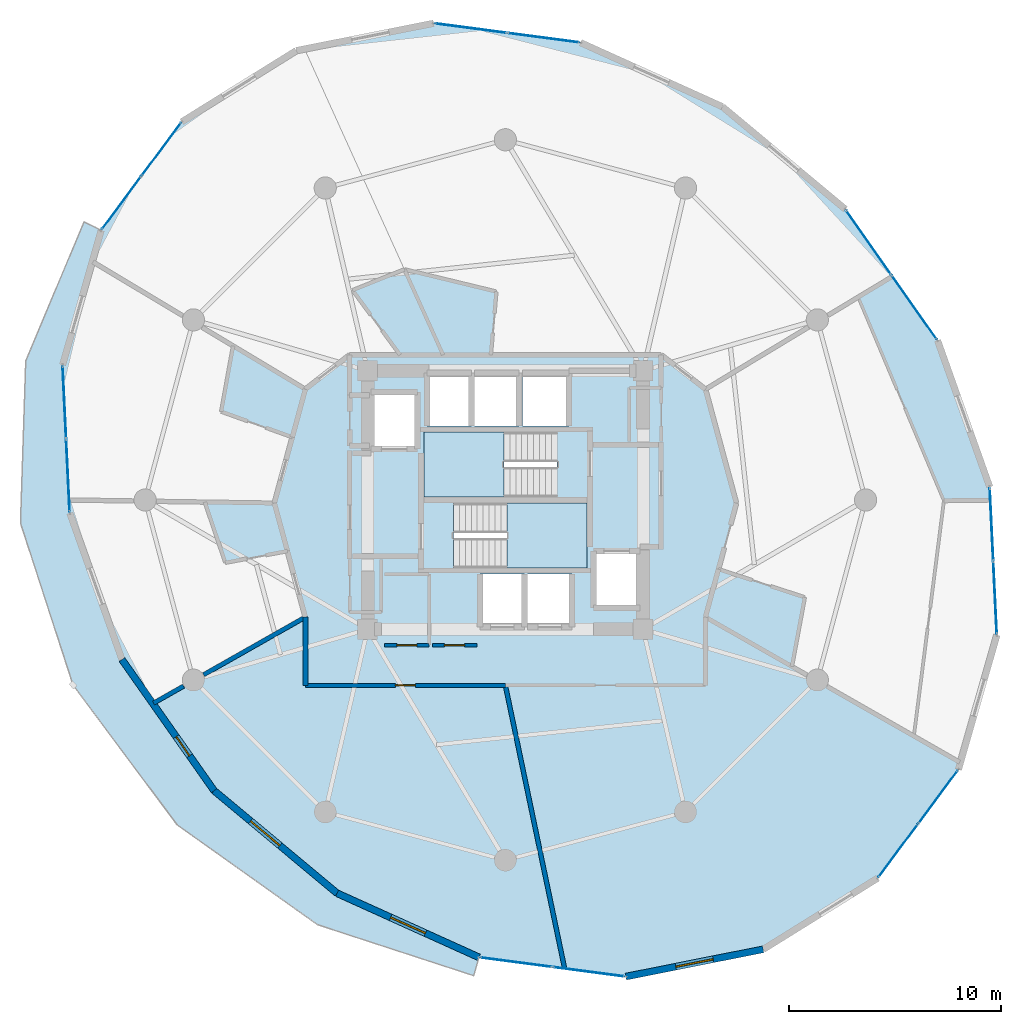
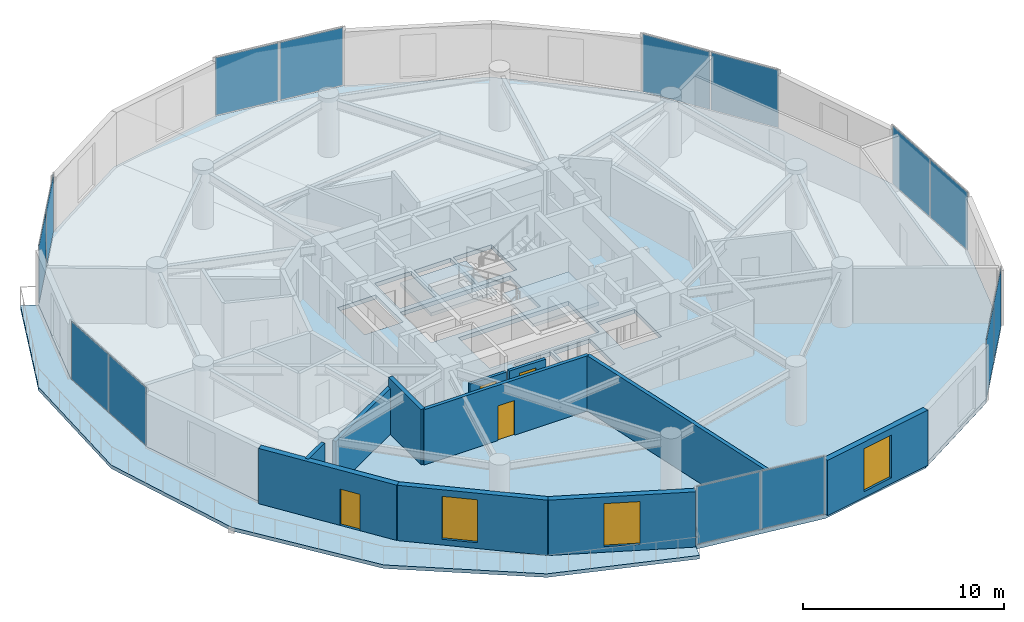
# One storey, part 17 of 22: 14 plates, 11 walls, 4 doors, 4 slabs, 3 windows, 7 openings, 9 elements without a shape of their own.
"""IFC4 building model written with IfcOpenShell, lengths in metres."""

from ifc_helpers import new_model, si_unit, direction, frame, frame_2d, origin, origin_2d, place, context, subcontext, project, spatial, polyline, rectangle, outline, extrude, source, transform, mapped, material, layer, layer_set, type_object, element, fill, aggregate, save


model = new_model("IFC4")

# Units and contexts
model_context = context("Model", 3, precision=1e-05, world=origin(), true_north=direction((0.0, 1.0)))
body_context = subcontext(model_context, "Body", "Model", "MODEL_VIEW")
ifc_project = project(units=[si_unit("LENGTHUNIT", "METRE"), si_unit("AREAUNIT", "SQUARE_METRE"), si_unit("VOLUMEUNIT", "CUBIC_METRE"), si_unit("PLANEANGLEUNIT", "RADIAN"), si_unit("MASSUNIT", "GRAM", prefix="KILO")], contexts=[model_context])

# Site, building, storey
site_placement = place(None, origin())
site = spatial("IfcSite", under=ifc_project, at=site_placement, CompositionType="ELEMENT")
building_placement = place(site_placement, origin())
building = spatial("IfcBuilding", under=site, at=building_placement, Name="Solvirekh Grand Hotel", CompositionType="ELEMENT")
storey_placement = place(building_placement, frame((0.0, 0.0, 153.0)))
storey = spatial("IfcBuildingStorey", under=building, at=storey_placement, Name="L39", CompositionType="ELEMENT", Elevation=153.0)

# Slab
ifc_material_1 = material(Name="Concrete C50/60", Category="concrete")
ifc_layer_1 = layer(ifc_material_1, 0.215087890625)
ifc_layer_set_1 = layer_set([ifc_layer_1], Name="Concrete C50/60")
slab_type_1 = type_object("IfcSlabType", Name="ExtCrescentBalc_215", PredefinedType="FLOOR", material=ifc_layer_set_1)
slab_1_placement = place(storey_placement, frame((0.0, 0.0, -0.215087890625)))
element("IfcSlab", 1, at=slab_1_placement, inside=storey, type_object=slab_type_1, Name="L39 sweeping crescent balcony slab", PredefinedType="FLOOR", context=body_context, shape_type="SweptSolid", body=[
    extrude(outline(polyline([(-19.884033203125, 13.123046875), (-22.635009765625, 6.56201171875), (-22.882080078125, -1.0810546875), (-20.40087890625, -8.73193359375), (-15.490966796875, -15.323974609375), (-8.873046875, -20.0390625), (-1.49609375, -22.447021484375), (-1.24609375, -21.5830078125), (-7.94091796875, -18.55810546875), (-13.74609375, -13.717041015625), (-18.093017578125, -7.532958984375), (-20.556884765625, -0.612060546875), (-20.89501953125, 6.368896484375), (-19.075927734375, 12.72705078125), (-19.884033203125, 13.123046875)])), origin(), (0.0, 0.0, 1.0), 0.215087890625),
])

# Stair, slab
ifc_material_2 = material(Name="Concrete C40/50", Category="concrete")
stair_type = type_object("IfcStairType", Name="Stair_Core_1450", PredefinedType="HALF_TURN_STAIR", material=ifc_material_2)
stair_1_placement = place(storey_placement, origin())
stair_1 = element("IfcStair", 2, at=stair_1_placement, inside=storey, type_object=stair_type, Name="L39 Enclosed exit stair ST-1", PredefinedType="HALF_TURN_STAIR")
ifc_layer_2 = layer(ifc_material_2, 0.199951171875)
ifc_layer_set_2 = layer_set([ifc_layer_2], Name="Concrete C40/50")
slab_type_2 = type_object("IfcSlabType", Name="Landing_Stair_200", PredefinedType="LANDING", material=ifc_layer_set_2)
slab_2_placement = place(storey_placement, frame((0.0, 0.0, 1.60009765625)))
slab_2 = element("IfcSlab", 3, at=slab_2_placement, type_object=slab_type_2, Name="ST-1 landing 1", PredefinedType="LANDING", context=body_context, shape_type="SweptSolid", body=[
    extrude(outline(polyline([(0.070068359375, -3.199951171875), (3.85009765625, -3.199951171875), (3.85009765625, -0.14990234375), (0.070068359375, -0.14990234375), (0.070068359375, -3.199951171875)])), origin(), (0.0, 0.0, 1.0), 0.199951171875),
])
aggregate(stair_1, [slab_2])

stair_2_placement = place(storey_placement, origin())
stair_2 = element("IfcStair", 4, at=stair_2_placement, inside=storey, type_object=stair_type, Name="L39 Enclosed exit stair ST-2", PredefinedType="HALF_TURN_STAIR")
slab_3_placement = place(storey_placement, frame((0.0, 0.0, 1.60009765625)))
slab_3 = element("IfcSlab", 5, at=slab_3_placement, type_object=slab_type_2, Name="ST-2 landing 1", PredefinedType="LANDING", context=body_context, shape_type="SweptSolid", body=[
    extrude(outline(polyline([(-0.070068359375, 3.199951171875), (-3.85009765625, 3.199951171875), (-3.85009765625, 0.14990234375), (-0.070068359375, 0.14990234375), (-0.070068359375, 3.199951171875)])), origin(), (0.0, 0.0, 1.0), 0.199951171875),
])
aggregate(stair_2, [slab_3])

# Slab
ifc_layer_3 = layer(ifc_material_1, 0.25)
ifc_layer_set_3 = layer_set([ifc_layer_3], Name="Concrete C50/60")
slab_type_3 = type_object("IfcSlabType", Name="Slab_GuestZ2_250", PredefinedType="FLOOR", material=ifc_layer_set_3)
slab_4_placement = place(storey_placement, frame((0.0, 0.0, -0.25)))
element("IfcSlab", 6, at=slab_4_placement, inside=storey, type_object=slab_type_3, Name="L39 structural floor slab", PredefinedType="FLOOR", context=body_context, shape_type="SweptSolid", body=[
    extrude(outline(polyline([(17.576904296875, -17.839111328125), (21.3759765625, -12.72705078125), (23.195068359375, -6.368896484375), (22.85693359375, 0.612060546875), (20.39306640625, 7.532958984375), (16.0458984375, 13.717041015625), (10.240966796875, 18.55810546875), (3.5458984375, 21.5830078125), (-3.384033203125, 22.4951171875), (-9.868896484375, 21.205078125), (-15.277099609375, 17.839111328125), (-19.075927734375, 12.72705078125), (-20.89501953125, 6.368896484375), (-20.556884765625, -0.612060546875), (-18.093017578125, -7.532958984375), (-13.74609375, -13.717041015625), (-7.94091796875, -18.55810546875), (-1.24609375, -21.5830078125), (5.68408203125, -22.4951171875), (12.1689453125, -21.205078125), (17.576904296875, -17.839111328125)]), holes=[polyline([(-2.444091796875, -0.14990234375), (3.85009765625, -0.14990234375), (3.85009765625, -3.199951171875), (-2.444091796875, -3.199951171875), (-2.444091796875, -0.14990234375)]), polyline([(2.444091796875, 0.14990234375), (-3.85009765625, 0.14990234375), (-3.85009765625, 3.199951171875), (2.444091796875, 3.199951171875), (2.444091796875, 0.14990234375)]), polyline([(-1.199951171875, -3.5), (0.89990234375, -3.5), (0.89990234375, -6.0), (-1.199951171875, -6.0), (-1.199951171875, -3.5)]), polyline([(1.050048828125, -3.5), (3.14990234375, -3.5), (3.14990234375, -6.0), (1.050048828125, -6.0), (1.050048828125, -3.5)]), polyline([(-3.699951171875, 6.0), (-1.60009765625, 6.0), (-1.60009765625, 3.5), (-3.699951171875, 3.5), (-3.699951171875, 6.0)]), polyline([(-1.449951171875, 6.0), (0.64990234375, 6.0), (0.64990234375, 3.5), (-1.449951171875, 3.5), (-1.449951171875, 6.0)]), polyline([(0.800048828125, 6.0), (3.0, 6.0), (3.0, 3.5), (0.800048828125, 3.5), (0.800048828125, 6.0)]), polyline([(-6.35009765625, 5.10009765625), (-4.14990234375, 5.10009765625), (-4.14990234375, 2.39990234375), (-6.35009765625, 2.39990234375), (-6.35009765625, 5.10009765625)]), polyline([(4.14990234375, -2.39990234375), (6.35009765625, -2.39990234375), (6.35009765625, -5.10009765625), (4.14990234375, -5.10009765625), (4.14990234375, -2.39990234375)])]), origin(), (0.0, 0.0, 1.0), 0.25),
])

# Curtain wall, plates
ifc_material_3 = material(Name="Anodized Bronze Aluminium 6063-T6", Category="aluminium")
ifc_layer_4 = layer(ifc_material_3, 0.175048828125)
ifc_layer_set_4 = layer_set([ifc_layer_4], Name="Anodized Bronze Aluminium 6063-T6")
curtain_wall_type = type_object("IfcCurtainWallType", Name="CW_Sys3_MidZoneFlushBronzeCW", PredefinedType="NOTDEFINED", material=ifc_layer_set_4)
curtain_wall_1_placement = place(storey_placement, origin())
curtain_wall_1 = element("IfcCurtainWall", 7, at=curtain_wall_1_placement, inside=storey, type_object=curtain_wall_type, Name="L39 unitised bronze-glass curtain wall CW-L39-C05", PredefinedType="NOTDEFINED")
ifc_material_4 = material(Name="Low-E Tinted Bronze Laminated Glass", Category="aluminium")
ifc_layer_5 = layer(ifc_material_4, 0.035888671875)
ifc_layer_set_5 = layer_set([ifc_layer_5], Name="Low-E Tinted Bronze Laminated Glass")
plate_type = type_object("IfcPlateType", Name="CWPanel_Mid_36", PredefinedType="CURTAIN_PANEL", material=ifc_layer_set_5)
shared_shape_1 = source(origin(), body_context, "Body", "SweptSolid", [
    extrude(rectangle(XDim=3.681884765625, YDim=0.035888671875, at=origin_2d()), origin(), (0.0, 0.0, 1.0), 3.489990234375),
])
plate_1_placement = place(storey_placement, frame((19.296875, 9.09228515625, 0.05517578125), z_axis=(0.0, 0.0, 1.0), x_axis=(-0.575077155244, 0.818099178289, 0.0)))
plate_1 = element("IfcPlate", 8, at=plate_1_placement, type_object=plate_type, Name="U03 panel 1.1", PredefinedType="CURTAIN_PANEL", context=body_context, shape_type="MappedRepresentation", body=[
    mapped(shared_shape_1, transform((0.0, 0.0, 0.0), x_axis=(1.0, 0.0, 0.0), y_axis=(0.0, 1.0, 0.0), z_axis=(0.0, 0.0, 1.0), scale=1.0)),
])
plate_2_placement = place(storey_placement, frame((17.14208984375, 12.15771484375, 0.05517578125), z_axis=(0.0, 0.0, 1.0), x_axis=(-0.575077155244, 0.818099178289, 0.0)))
plate_2 = element("IfcPlate", 9, at=plate_2_placement, type_object=plate_type, Name="U03 panel 2.1", PredefinedType="CURTAIN_PANEL", context=body_context, shape_type="MappedRepresentation", body=[
    mapped(shared_shape_1, transform((0.0, 0.0, 0.0), x_axis=(1.0, 0.0, 0.0), y_axis=(0.0, 1.0, 0.0), z_axis=(0.0, 0.0, 1.0), scale=1.0)),
])
aggregate(curtain_wall_1, [plate_1, plate_2])

curtain_wall_2_placement = place(storey_placement, origin())
curtain_wall_2 = element("IfcCurtainWall", 10, at=curtain_wall_2_placement, inside=storey, type_object=curtain_wall_type, Name="L39 unitised bronze-glass curtain wall CW-L39-C03", PredefinedType="NOTDEFINED")
shared_shape_2 = source(origin(), body_context, "Body", "SweptSolid", [
    extrude(rectangle(XDim=3.39697265625, YDim=0.035888671875, at=origin_2d()), origin(), (0.0, 0.0, 1.0), 3.489990234375),
])
plate_3_placement = place(storey_placement, frame((23.109619140625, -4.607421875, 0.05517578125), z_axis=(0.0, 0.0, 1.0), x_axis=(-0.048360481624, 0.998829947397, 0.0)))
plate_3 = element("IfcPlate", 11, at=plate_3_placement, type_object=plate_type, Name="U03 panel 1.1", PredefinedType="CURTAIN_PANEL", context=body_context, shape_type="MappedRepresentation", body=[
    mapped(shared_shape_2, transform((0.0, 0.0, 0.0), x_axis=(1.0, 0.0, 0.0), y_axis=(0.0, 1.0, 0.0), z_axis=(0.0, 0.0, 1.0), scale=1.0)),
])
plate_4_placement = place(storey_placement, frame((22.9423828125, -1.1494140625, 0.05517578125), z_axis=(0.0, 0.0, 1.0), x_axis=(-0.048360481624, 0.998829947397, 0.0)))
plate_4 = element("IfcPlate", 12, at=plate_4_placement, type_object=plate_type, Name="U03 panel 2.1", PredefinedType="CURTAIN_PANEL", context=body_context, shape_type="MappedRepresentation", body=[
    mapped(shared_shape_2, transform((0.0, 0.0, 0.0), x_axis=(1.0, 0.0, 0.0), y_axis=(0.0, 1.0, 0.0), z_axis=(0.0, 0.0, 1.0), scale=1.0)),
])
aggregate(curtain_wall_2, [plate_3, plate_4])

curtain_wall_3_placement = place(storey_placement, origin())
curtain_wall_3 = element("IfcCurtainWall", 13, at=curtain_wall_3_placement, inside=storey, type_object=curtain_wall_type, Name="L39 unitised bronze-glass curtain wall CW-L39-C13", PredefinedType="NOTDEFINED")
plate_5_placement = place(storey_placement, frame((-20.809814453125, 4.607421875, 0.05517578125), z_axis=(0.0, 0.0, 1.0), x_axis=(0.048360481624, -0.998829947397, 0.0)))
plate_5 = element("IfcPlate", 14, at=plate_5_placement, type_object=plate_type, Name="U03 panel 1.1", PredefinedType="CURTAIN_PANEL", context=body_context, shape_type="MappedRepresentation", body=[
    mapped(shared_shape_2, transform((0.0, 0.0, 0.0), x_axis=(1.0, 0.0, 0.0), y_axis=(0.0, 1.0, 0.0), z_axis=(0.0, 0.0, 1.0), scale=1.0)),
])
plate_6_placement = place(storey_placement, frame((-20.642333984375, 1.1494140625, 0.05517578125), z_axis=(0.0, 0.0, 1.0), x_axis=(0.048360481624, -0.998829947397, 0.0)))
plate_6 = element("IfcPlate", 15, at=plate_6_placement, type_object=plate_type, Name="U03 panel 2.1", PredefinedType="CURTAIN_PANEL", context=body_context, shape_type="MappedRepresentation", body=[
    mapped(shared_shape_2, transform((0.0, 0.0, 0.0), x_axis=(1.0, 0.0, 0.0), y_axis=(0.0, 1.0, 0.0), z_axis=(0.0, 0.0, 1.0), scale=1.0)),
])
aggregate(curtain_wall_3, [plate_5, plate_6])

curtain_wall_4_placement = place(storey_placement, origin())
curtain_wall_4 = element("IfcCurtainWall", 16, at=curtain_wall_4_placement, inside=storey, type_object=curtain_wall_type, Name="L39 unitised bronze-glass curtain wall CW-L39-C08", PredefinedType="NOTDEFINED")
shared_shape_3 = source(origin(), body_context, "Body", "SweptSolid", [
    extrude(rectangle(XDim=3.3974609375, YDim=0.035888671875, at=origin_2d()), origin(), (0.0, 0.0, 1.0), 3.489990234375),
])
plate_7_placement = place(storey_placement, frame((1.79736328125, 21.813232421875, 0.05517578125), z_axis=(0.0, 0.0, 1.0), x_axis=(-0.99145137358, 0.130476717564, 0.0)))
plate_7 = element("IfcPlate", 17, at=plate_7_placement, type_object=plate_type, Name="U03 panel 1.1", PredefinedType="CURTAIN_PANEL", context=body_context, shape_type="MappedRepresentation", body=[
    mapped(shared_shape_3, transform((0.0, 0.0, 0.0), x_axis=(1.0, 0.0, 0.0), y_axis=(0.0, 1.0, 0.0), z_axis=(0.0, 0.0, 1.0), scale=1.0)),
])
plate_8_placement = place(storey_placement, frame((-1.635498046875, 22.264892578125, 0.05517578125), z_axis=(0.0, 0.0, 1.0), x_axis=(-0.99145137358, 0.130476717564, 0.0)))
plate_8 = element("IfcPlate", 18, at=plate_8_placement, type_object=plate_type, Name="U03 panel 2.1", PredefinedType="CURTAIN_PANEL", context=body_context, shape_type="MappedRepresentation", body=[
    mapped(shared_shape_3, transform((0.0, 0.0, 0.0), x_axis=(1.0, 0.0, 0.0), y_axis=(0.0, 1.0, 0.0), z_axis=(0.0, 0.0, 1.0), scale=1.0)),
])
aggregate(curtain_wall_4, [plate_7, plate_8])

curtain_wall_5_placement = place(storey_placement, origin())
curtain_wall_5 = element("IfcCurtainWall", 19, at=curtain_wall_5_placement, inside=storey, type_object=curtain_wall_type, Name="L39 unitised bronze-glass curtain wall CW-L39-C18", PredefinedType="NOTDEFINED")
plate_9_placement = place(storey_placement, frame((0.502685546875, -21.813232421875, 0.05517578125), z_axis=(0.0, 0.0, 1.0), x_axis=(0.99145137358, -0.130476717564, 0.0)))
plate_9 = element("IfcPlate", 20, at=plate_9_placement, type_object=plate_type, Name="U03 panel 1.1", PredefinedType="CURTAIN_PANEL", context=body_context, shape_type="MappedRepresentation", body=[
    mapped(shared_shape_3, transform((0.0, 0.0, 0.0), x_axis=(1.0, 0.0, 0.0), y_axis=(0.0, 1.0, 0.0), z_axis=(0.0, 0.0, 1.0), scale=1.0)),
])
plate_10_placement = place(storey_placement, frame((3.935302734375, -22.264892578125, 0.05517578125), z_axis=(0.0, 0.0, 1.0), x_axis=(0.99145137358, -0.130476717564, 0.0)))
plate_10 = element("IfcPlate", 21, at=plate_10_placement, type_object=plate_type, Name="U03 panel 2.1", PredefinedType="CURTAIN_PANEL", context=body_context, shape_type="MappedRepresentation", body=[
    mapped(shared_shape_3, transform((0.0, 0.0, 0.0), x_axis=(1.0, 0.0, 0.0), y_axis=(0.0, 1.0, 0.0), z_axis=(0.0, 0.0, 1.0), scale=1.0)),
])
aggregate(curtain_wall_5, [plate_9, plate_10])

curtain_wall_6_placement = place(storey_placement, origin())
curtain_wall_6 = element("IfcCurtainWall", 22, at=curtain_wall_6_placement, inside=storey, type_object=curtain_wall_type, Name="L39 unitised bronze-glass curtain wall CW-L39-C01", PredefinedType="NOTDEFINED")
shared_shape_4 = source(origin(), body_context, "Body", "SweptSolid", [
    extrude(rectangle(XDim=3.0869140625, YDim=0.035888671875, at=origin_2d()), origin(), (0.0, 0.0, 1.0), 3.489990234375),
])
plate_11_placement = place(storey_placement, frame((18.536376953125, -16.5478515625, 0.05517578125), z_axis=(0.0, 0.0, 1.0), x_axis=(0.596477200204, 0.802630020394, 0.0)))
plate_11 = element("IfcPlate", 23, at=plate_11_placement, type_object=plate_type, Name="U03 panel 1.1", PredefinedType="CURTAIN_PANEL", context=body_context, shape_type="MappedRepresentation", body=[
    mapped(shared_shape_4, transform((0.0, 0.0, 0.0), x_axis=(1.0, 0.0, 0.0), y_axis=(0.0, 1.0, 0.0), z_axis=(0.0, 0.0, 1.0), scale=1.0)),
])
plate_12_placement = place(storey_placement, frame((20.41650390625, -14.01806640625, 0.05517578125), z_axis=(0.0, 0.0, 1.0), x_axis=(0.596477200204, 0.802630020394, 0.0)))
plate_12 = element("IfcPlate", 24, at=plate_12_placement, type_object=plate_type, Name="U03 panel 2.1", PredefinedType="CURTAIN_PANEL", context=body_context, shape_type="MappedRepresentation", body=[
    mapped(shared_shape_4, transform((0.0, 0.0, 0.0), x_axis=(1.0, 0.0, 0.0), y_axis=(0.0, 1.0, 0.0), z_axis=(0.0, 0.0, 1.0), scale=1.0)),
])
aggregate(curtain_wall_6, [plate_11, plate_12])

curtain_wall_7_placement = place(storey_placement, origin())
curtain_wall_7 = element("IfcCurtainWall", 25, at=curtain_wall_7_placement, inside=storey, type_object=curtain_wall_type, Name="L39 unitised bronze-glass curtain wall CW-L39-C11", PredefinedType="NOTDEFINED")
plate_13_placement = place(storey_placement, frame((-16.236328125, 16.5478515625, 0.05517578125), z_axis=(0.0, 0.0, 1.0), x_axis=(-0.596477200204, -0.802630020394, 0.0)))
plate_13 = element("IfcPlate", 26, at=plate_13_placement, type_object=plate_type, Name="U03 panel 1.1", PredefinedType="CURTAIN_PANEL", context=body_context, shape_type="MappedRepresentation", body=[
    mapped(shared_shape_4, transform((0.0, 0.0, 0.0), x_axis=(1.0, 0.0, 0.0), y_axis=(0.0, 1.0, 0.0), z_axis=(0.0, 0.0, 1.0), scale=1.0)),
])
plate_14_placement = place(storey_placement, frame((-18.116455078125, 14.01806640625, 0.05517578125), z_axis=(0.0, 0.0, 1.0), x_axis=(-0.596477200204, -0.802630020394, 0.0)))
plate_14 = element("IfcPlate", 27, at=plate_14_placement, type_object=plate_type, Name="U03 panel 2.1", PredefinedType="CURTAIN_PANEL", context=body_context, shape_type="MappedRepresentation", body=[
    mapped(shared_shape_4, transform((0.0, 0.0, 0.0), x_axis=(1.0, 0.0, 0.0), y_axis=(0.0, 1.0, 0.0), z_axis=(0.0, 0.0, 1.0), scale=1.0)),
])
aggregate(curtain_wall_7, [plate_13, plate_14])

# Wall, opening, door
ifc_material_5 = material(Name="Precast concrete C45/55", Category="concrete")
ifc_layer_6 = layer(ifc_material_5, 0.320068359375)
ifc_layer_set_6 = layer_set([ifc_layer_6], Name="Precast concrete C45/55")
wall_type_1 = type_object("IfcWallType", Name="ExtLobbyWall_RC320", PredefinedType="SOLIDWALL", material=ifc_layer_set_6)
wall_1_placement = place(storey_placement, frame((-13.74609375, -13.717041015625, 0.0), z_axis=(0.0, 0.0, 1.0), x_axis=(-0.575065305211, 0.818107508059, 0.0)))
wall_1 = element("IfcWall", 28, at=wall_1_placement, inside=storey, type_object=wall_type_1, Name="L39 exterior structural wall chord 15", PredefinedType="SOLIDWALL", context=body_context, shape_type="SweptSolid", body=[
    extrude(rectangle(XDim=7.55908203125, YDim=0.320068359375, at=frame_2d((3.779541015625, 0.0))), origin(), (0.0, 0.0, 1.0), 3.35009765625),
])
opening_1_placement = place(wall_1_placement, frame((2.010986328125, 0.0, 0.0)))
opening_1 = element("IfcOpeningElement", 29, at=opening_1_placement, cuts=wall_1, Name="Opening D03", PredefinedType="OPENING", context=body_context, shape_type="SweptSolid", body=[
    extrude(rectangle(XDim=1.10009765625, YDim=2.199951171875, at=frame_2d((0.550048828125, 1.10009765625))), frame((0.0, 0.169921875, 0.0), z_axis=(0.0, -1.0, 0.0), x_axis=(1.0, 0.0, 0.0)), (0.0, 0.0, 1.0), 0.340087890625),
])
door_type_1 = type_object("IfcDoorType", Name="Door_ExtBalcony_1100X2200", OperationType="NOTDEFINED", PredefinedType="DOOR", material=ifc_material_3)
door_1_placement = place(opening_1_placement, origin())
door_1 = element("IfcDoor", 30, at=door_1_placement, inside=storey, type_object=door_type_1, Name="L39 Crescent balcony glazed door (15)", OperationType="SINGLE_SWING_RIGHT", OverallHeight=2.199951171875, OverallWidth=1.10009765625, PredefinedType="DOOR", context=body_context, shape_type="SweptSolid", body=[
    extrude(rectangle(XDim=1.10009765625, YDim=2.199951171875, at=frame_2d((0.550048828125, 1.10009765625))), frame((0.0, 0.02490234375, 0.0), z_axis=(0.0, -1.0, 0.0), x_axis=(1.0, 0.0, 0.0)), (0.0, 0.0, 1.0), 0.050048828125),
])
fill(opening_1, door_1)

# Wall, opening, window
wall_2_placement = place(storey_placement, frame((-7.94091796875, -18.55810546875, 0.0), z_axis=(0.0, 0.0, 1.0), x_axis=(-0.767998848651, 0.640451222554, 0.0)))
wall_2 = element("IfcWall", 31, at=wall_2_placement, inside=storey, type_object=wall_type_1, Name="L39 exterior structural wall chord 16", PredefinedType="SOLIDWALL", context=body_context, shape_type="SweptSolid", body=[
    extrude(rectangle(XDim=7.558837890625, YDim=0.320068359375, at=frame_2d((3.779296875, 0.0))), origin(), (0.0, 0.0, 1.0), 3.35009765625),
])
opening_2_placement = place(wall_2_placement, frame((3.51904296875, 0.0, 0.35009765625)))
opening_2 = element("IfcOpeningElement", 32, at=opening_2_placement, cuts=wall_2, Name="Opening W02", PredefinedType="OPENING", context=body_context, shape_type="SweptSolid", body=[
    extrude(rectangle(XDim=1.800048828125, YDim=2.60009765625, at=frame_2d((0.89990234375, 1.300048828125))), frame((0.0, 0.169921875, 0.0), z_axis=(0.0, -1.0, 0.0), x_axis=(1.0, 0.0, 0.0)), (0.0, 0.0, 1.0), 0.340087890625),
])
window_type = type_object("IfcWindowType", Name="Win_LobbyExt_1800X2600", PartitioningType="SINGLE_PANEL", PredefinedType="WINDOW", material=ifc_material_4)
window_1_placement = place(opening_2_placement, origin())
window_1 = element("IfcWindow", 33, at=window_1_placement, inside=storey, type_object=window_type, Name="L39 panoramic bronze-framed window 16", OverallHeight=2.60009765625, OverallWidth=1.800048828125, PartitioningType="SINGLE_PANEL", PredefinedType="WINDOW", context=body_context, shape_type="SweptSolid", body=[
    extrude(rectangle(XDim=1.800048828125, YDim=2.60009765625, at=frame_2d((0.89990234375, 1.300048828125))), frame((0.0, 0.030029296875, 0.0), z_axis=(0.0, -1.0, 0.0), x_axis=(1.0, 0.0, 0.0)), (0.0, 0.0, 1.0), 0.06005859375),
])
fill(opening_2, window_1)

wall_3_placement = place(storey_placement, frame((-1.24609375, -21.5830078125, 0.0), z_axis=(0.0, 0.0, 1.0), x_axis=(-0.91129739941, 0.411748770282, 0.0)))
wall_3 = element("IfcWall", 34, at=wall_3_placement, inside=storey, type_object=wall_type_1, Name="L39 exterior structural wall chord 17", PredefinedType="SOLIDWALL", context=body_context, shape_type="SweptSolid", body=[
    extrude(rectangle(XDim=7.346435546875, YDim=0.320068359375, at=frame_2d((3.67333984375, 0.0))), origin(), (0.0, 0.0, 1.0), 3.35009765625),
])
opening_3_placement = place(wall_3_placement, frame((2.77294921875, 0.0, 0.35009765625)))
opening_3 = element("IfcOpeningElement", 35, at=opening_3_placement, cuts=wall_3, Name="Opening W02", PredefinedType="OPENING", context=body_context, shape_type="SweptSolid", body=[
    extrude(rectangle(XDim=1.800048828125, YDim=2.60009765625, at=frame_2d((0.89990234375, 1.300048828125))), frame((0.0, 0.169921875, 0.0), z_axis=(0.0, -1.0, 0.0), x_axis=(1.0, 0.0, 0.0)), (0.0, 0.0, 1.0), 0.340087890625),
])
window_2_placement = place(opening_3_placement, origin())
window_2 = element("IfcWindow", 36, at=window_2_placement, inside=storey, type_object=window_type, Name="L39 panoramic bronze-framed window 17", OverallHeight=2.60009765625, OverallWidth=1.800048828125, PartitioningType="SINGLE_PANEL", PredefinedType="WINDOW", context=body_context, shape_type="SweptSolid", body=[
    extrude(rectangle(XDim=1.800048828125, YDim=2.60009765625, at=frame_2d((0.89990234375, 1.300048828125))), frame((0.0, 0.030029296875, 0.0), z_axis=(0.0, -1.0, 0.0), x_axis=(1.0, 0.0, 0.0)), (0.0, 0.0, 1.0), 0.06005859375),
])
fill(opening_3, window_2)

wall_4_placement = place(storey_placement, frame((12.1689453125, -21.205078125, 0.0), z_axis=(0.0, 0.0, 1.0), x_axis=(-0.980781820462, -0.195107715508, 0.0)))
wall_4 = element("IfcWall", 37, at=wall_4_placement, inside=storey, type_object=wall_type_1, Name="L39 exterior structural wall chord 19", PredefinedType="SOLIDWALL", context=body_context, shape_type="SweptSolid", body=[
    extrude(rectangle(XDim=6.61181640625, YDim=0.320068359375, at=frame_2d((3.305908203125, 0.0))), origin(), (0.0, 0.0, 1.0), 3.35009765625),
])
opening_4_placement = place(wall_4_placement, frame((2.406005859375, 0.0, 0.35009765625)))
opening_4 = element("IfcOpeningElement", 38, at=opening_4_placement, cuts=wall_4, Name="Opening W02", PredefinedType="OPENING", context=body_context, shape_type="SweptSolid", body=[
    extrude(rectangle(XDim=1.800048828125, YDim=2.60009765625, at=frame_2d((0.89990234375, 1.300048828125))), frame((0.0, 0.169921875, 0.0), z_axis=(0.0, -1.0, 0.0), x_axis=(1.0, 0.0, 0.0)), (0.0, 0.0, 1.0), 0.340087890625),
])
window_3_placement = place(opening_4_placement, origin())
window_3 = element("IfcWindow", 39, at=window_3_placement, inside=storey, type_object=window_type, Name="L39 panoramic bronze-framed window 19", OverallHeight=2.60009765625, OverallWidth=1.800048828125, PartitioningType="SINGLE_PANEL", PredefinedType="WINDOW", context=body_context, shape_type="SweptSolid", body=[
    extrude(rectangle(XDim=1.800048828125, YDim=2.60009765625, at=frame_2d((0.89990234375, 1.300048828125))), frame((0.0, 0.030029296875, 0.0), z_axis=(0.0, -1.0, 0.0), x_axis=(1.0, 0.0, 0.0)), (0.0, 0.0, 1.0), 0.06005859375),
])
fill(opening_4, window_3)

# Wall, opening, door
ifc_material_6 = material(Name="Acoustic Gypsum Partition Assembly")
ifc_layer_7 = layer(ifc_material_6, 0.1650390625)
ifc_layer_set_7 = layer_set([ifc_layer_7], Name="Acoustic Gypsum Partition Assembly")
wall_type_2 = type_object("IfcWallType", Name="Part_BOH_165", PredefinedType="PARTITIONING", material=ifc_layer_set_7)
wall_5_placement = place(storey_placement, frame((-5.699951171875, -6.85009765625, 0.0), z_axis=(0.0, 0.0, 1.0), x_axis=(1.0, 0.0, 0.0)))
wall_5 = element("IfcWall", 40, at=wall_5_placement, inside=storey, type_object=wall_type_2, Name="L39 Mid-Zone Housekeeping Store wall 1", PredefinedType="PARTITIONING", context=body_context, shape_type="SweptSolid", body=[
    extrude(rectangle(XDim=2.099853515625, YDim=0.1650390625, at=frame_2d((1.0498046875, 0.0))), origin(), (0.0, 0.0, 1.0), 2.43505859375),
])
opening_5_placement = place(wall_5_placement, frame((0.574951171875, 0.0, 0.0)))
opening_5 = element("IfcOpeningElement", 41, at=opening_5_placement, cuts=wall_5, Name="Opening D10", PredefinedType="OPENING", context=body_context, shape_type="SweptSolid", body=[
    extrude(rectangle(XDim=0.949951171875, YDim=2.10009765625, at=frame_2d((0.47509765625, 1.050048828125))), frame((0.0, 0.092529296875, 0.0), z_axis=(0.0, -1.0, 0.0), x_axis=(1.0, 0.0, 0.0)), (0.0, 0.0, 1.0), 0.18505859375),
])
door_type_2 = type_object("IfcDoorType", Name="Door_RoomInt_950X2100", OperationType="NOTDEFINED", PredefinedType="DOOR", material=ifc_material_3)
door_2_placement = place(opening_5_placement, origin())
door_2 = element("IfcDoor", 42, at=door_2_placement, inside=storey, type_object=door_type_2, Name="L39 Mid-Zone Housekeeping Store door", OperationType="SINGLE_SWING_RIGHT", OverallHeight=2.10009765625, OverallWidth=0.949951171875, PredefinedType="DOOR", context=body_context, shape_type="SweptSolid", body=[
    extrude(rectangle(XDim=0.949951171875, YDim=2.10009765625, at=frame_2d((0.47509765625, 1.050048828125))), frame((0.0, 0.02490234375, 0.0), z_axis=(0.0, -1.0, 0.0), x_axis=(1.0, 0.0, 0.0)), (0.0, 0.0, 1.0), 0.050048828125),
])
fill(opening_5, door_2)

wall_6_placement = place(storey_placement, frame((-3.449951171875, -6.85009765625, 0.0), z_axis=(0.0, 0.0, 1.0), x_axis=(1.0, 0.0, 0.0)))
wall_6 = element("IfcWall", 43, at=wall_6_placement, inside=storey, type_object=wall_type_2, Name="L39 Mid-Zone Linen Closet wall 1", PredefinedType="PARTITIONING", context=body_context, shape_type="SweptSolid", body=[
    extrude(rectangle(XDim=2.099853515625, YDim=0.1650390625, at=frame_2d((1.0498046875, 0.0))), origin(), (0.0, 0.0, 1.0), 2.43505859375),
])
opening_6_placement = place(wall_6_placement, frame((0.574951171875, 0.0, 0.0)))
opening_6 = element("IfcOpeningElement", 44, at=opening_6_placement, cuts=wall_6, Name="Opening D10", PredefinedType="OPENING", context=body_context, shape_type="SweptSolid", body=[
    extrude(rectangle(XDim=0.949951171875, YDim=2.10009765625, at=frame_2d((0.47509765625, 1.050048828125))), frame((0.0, 0.092529296875, 0.0), z_axis=(0.0, -1.0, 0.0), x_axis=(1.0, 0.0, 0.0)), (0.0, 0.0, 1.0), 0.18505859375),
])
door_3_placement = place(opening_6_placement, origin())
door_3 = element("IfcDoor", 45, at=door_3_placement, inside=storey, type_object=door_type_2, Name="L39 Mid-Zone Linen Closet door", OperationType="SINGLE_SWING_LEFT", OverallHeight=2.10009765625, OverallWidth=0.949951171875, PredefinedType="DOOR", context=body_context, shape_type="SweptSolid", body=[
    extrude(rectangle(XDim=0.949951171875, YDim=2.10009765625, at=frame_2d((0.47509765625, 1.050048828125))), frame((0.0, 0.02490234375, 0.0), z_axis=(0.0, -1.0, 0.0), x_axis=(1.0, 0.0, 0.0)), (0.0, 0.0, 1.0), 0.050048828125),
])
fill(opening_6, door_3)

# Wall
ifc_layer_8 = layer(ifc_material_6, 0.239990234375)
ifc_layer_set_8 = layer_set([ifc_layer_8], Name="Acoustic Gypsum Partition Assembly")
wall_type_3 = type_object("IfcWallType", Name="Part_Corridor_240", PredefinedType="PARTITIONING", material=ifc_layer_set_8)
wall_7_placement = place(storey_placement, frame((-9.43994140625, -5.52490234375, 0.0), z_axis=(0.0, 0.0, 1.0), x_axis=(0.0, -1.0, 0.0)))
element("IfcWall", 46, at=wall_7_placement, inside=storey, type_object=wall_type_3, Name="L39 L39 Panorama Morning Lounge corridor wall 1", PredefinedType="PARTITIONING", context=body_context, shape_type="SweptSolid", body=[
    extrude(rectangle(XDim=3.22509765625, YDim=0.239990234375, at=frame_2d((1.612548828125, 0.0))), origin(), (0.0, 0.0, 1.0), 3.35009765625),
])

# Wall, opening, door
ifc_layer_9 = layer(ifc_material_6, 0.18994140625)
ifc_layer_set_9 = layer_set([ifc_layer_9], Name="Acoustic Gypsum Partition Assembly")
wall_type_4 = type_object("IfcWallType", Name="Part_GuestDemise_190", PredefinedType="PARTITIONING", material=ifc_layer_set_9)
wall_8_placement = place(storey_placement, frame((-9.43994140625, -8.75, 0.0), z_axis=(0.0, 0.0, 1.0), x_axis=(1.0, 0.0, 0.0)))
wall_8 = element("IfcWall", 47, at=wall_8_placement, inside=storey, type_object=wall_type_4, Name="L39 L39 Panorama Morning Lounge entrance wall", PredefinedType="PARTITIONING", context=body_context, shape_type="SweptSolid", body=[
    extrude(rectangle(XDim=9.43994140625, YDim=0.18994140625, at=frame_2d((4.719970703125, 0.0))), origin(), (0.0, 0.0, 1.0), 3.35009765625),
])
opening_7_placement = place(wall_8_placement, frame((4.2451171875, 0.0, 0.0)))
opening_7 = element("IfcOpeningElement", 48, at=opening_7_placement, cuts=wall_8, Name="Opening D10", PredefinedType="OPENING", context=body_context, shape_type="SweptSolid", body=[
    extrude(rectangle(XDim=0.949951171875, YDim=2.10009765625, at=frame_2d((0.47509765625, 1.050048828125))), frame((0.0, 0.10498046875, 0.0), z_axis=(0.0, -1.0, 0.0), x_axis=(1.0, 0.0, 0.0)), (0.0, 0.0, 1.0), 0.2099609375),
])
door_4_placement = place(opening_7_placement, origin())
door_4 = element("IfcDoor", 49, at=door_4_placement, inside=storey, type_object=door_type_2, Name="L39 L39 Panorama Morning Lounge entrance door", OperationType="SINGLE_SWING_RIGHT", OverallHeight=2.10009765625, OverallWidth=0.949951171875, PredefinedType="DOOR", context=body_context, shape_type="SweptSolid", body=[
    extrude(rectangle(XDim=0.949951171875, YDim=2.10009765625, at=frame_2d((0.47509765625, 1.050048828125))), frame((0.0, 0.02490234375, 0.0), z_axis=(0.0, -1.0, 0.0), x_axis=(1.0, 0.0, 0.0)), (0.0, 0.0, 1.0), 0.050048828125),
])
fill(opening_7, door_4)

# Walls
ifc_layer_10 = layer(ifc_material_6, 0.2099609375)
ifc_layer_set_10 = layer_set([ifc_layer_10], Name="Acoustic Gypsum Partition Assembly")
wall_type_5 = type_object("IfcWallType", Name="Part_SuiteDemise_210", PredefinedType="PARTITIONING", material=ifc_layer_set_10)
wall_9_placement = place(storey_placement, frame((-9.43994140625, -5.52490234375, 0.0), z_axis=(0.0, 0.0, 1.0), x_axis=(-0.86993170577, -0.493172208561, 0.0)))
element("IfcWall", 50, at=wall_9_placement, inside=storey, type_object=wall_type_5, Name="L39 suite radial wall 8 (A)", PredefinedType="PARTITIONING", context=body_context, shape_type="SweptSolid", body=[
    extrude(rectangle(XDim=5.517822265625, YDim=0.2099609375, at=frame_2d((2.7587890625, 0.0))), origin(), (0.0, 0.0, 1.0), 2.791015625),
])
wall_10_placement = place(storey_placement, frame((-15.18798828125, -8.782958984375, 0.0), z_axis=(0.0, 0.0, 1.0), x_axis=(-0.869837463866, -0.493338409669, 0.0)))
element("IfcWall", 51, at=wall_10_placement, inside=storey, type_object=wall_type_5, Name="L39 suite radial wall 8 (B)", PredefinedType="PARTITIONING", context=body_context, shape_type="SweptSolid", body=[
    extrude(rectangle(XDim=1.625732421875, YDim=0.2099609375, at=frame_2d((0.81298828125, 0.0))), origin(), (0.0, 0.0, 1.0), 3.35009765625),
])
wall_11_placement = place(storey_placement, frame((0.0, -8.75, 0.0), z_axis=(0.0, 0.0, 1.0), x_axis=(0.204871544732, -0.978788869041, 0.0)))
element("IfcWall", 52, at=wall_11_placement, inside=storey, type_object=wall_type_5, Name="L39 L39 Panorama Morning Lounge dividing partition 1", PredefinedType="PARTITIONING", context=body_context, shape_type="SweptSolid", body=[
    extrude(rectangle(XDim=13.61376953125, YDim=0.2099609375, at=frame_2d((6.806884765625, 0.0))), origin(), (0.0, 0.0, 1.0), 3.35009765625),
])

save(model, "model.ifc")
